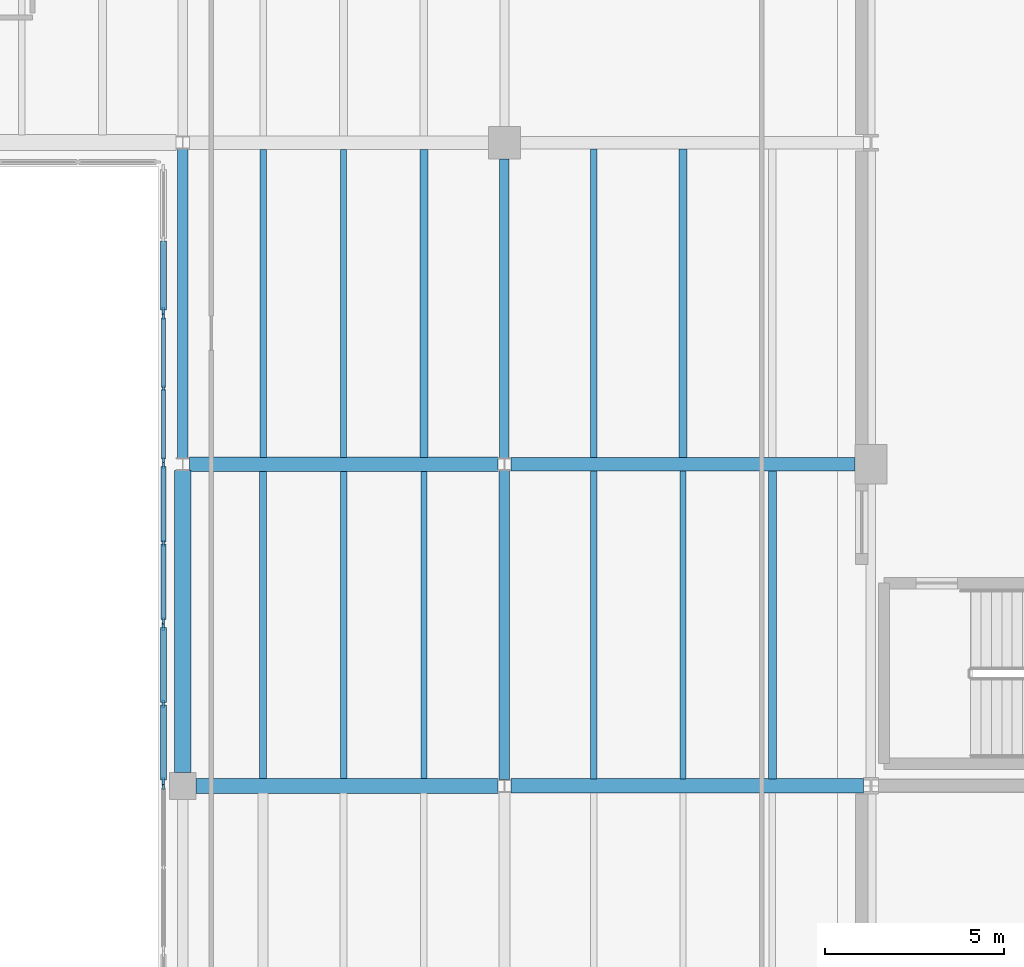
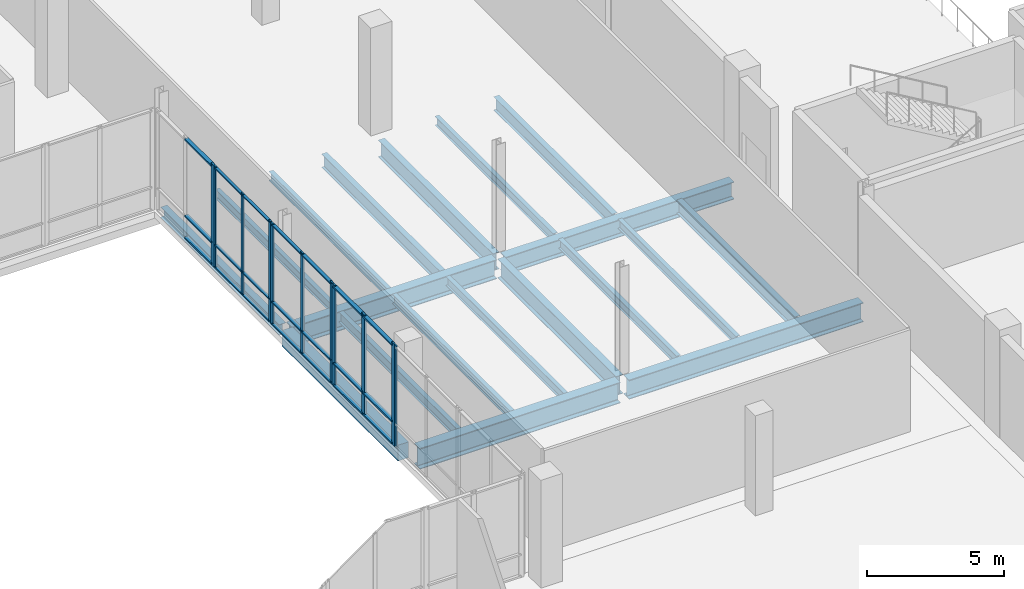
# One storey, part 22 of 41: 32 members, 19 beams, 5 elements without a shape of their own.
"""IFC4 building model written with IfcOpenShell, lengths in metres."""

from ifc_helpers import new_model, si_unit, direction, frame, origin, origin_2d, place, context, subcontext, project, spatial, rectangle, i_section, extrude, material, material_profile, profile_set, type_object, element, aggregate, save


model = new_model("IFC4")

# Units and contexts
model_context = context("Model", 3, precision=1e-05, world=origin(), true_north=direction((0.0, 1.0)))
body_context = subcontext(model_context, "Body", "Model", "MODEL_VIEW")
ifc_project = project(units=[si_unit("LENGTHUNIT", "METRE"), si_unit("AREAUNIT", "SQUARE_METRE"), si_unit("VOLUMEUNIT", "CUBIC_METRE"), si_unit("PLANEANGLEUNIT", "RADIAN"), si_unit("MASSUNIT", "GRAM", prefix="KILO")], contexts=[model_context])

# Site, building, storey
site_placement = place(None, origin())
site = spatial("IfcSite", under=ifc_project, at=site_placement, CompositionType="ELEMENT")
building_placement = place(site_placement, origin())
building = spatial("IfcBuilding", under=site, at=building_placement, Name="Trimount Lyric Opera House", CompositionType="ELEMENT")
storey_placement = place(building_placement, frame((0.0, 0.0, 20.0)))
storey = spatial("IfcBuildingStorey", under=building, at=storey_placement, Name="L04", CompositionType="ELEMENT", Elevation=20.0)

# Beams
ifc_material_1 = material(Name="Steel ASTM A992 Grade 50", Category="steel")
ifc_material_profile_1 = material_profile(ifc_material_1, i_section(OverallWidth=0.4189453125, OverallDepth=0.927001953125, WebThickness=0.019287109375, FlangeThickness=0.031982421875, FilletRadius=0.02392578125, at=origin_2d()), Name="W36X231")
ifc_profile_set_1 = profile_set([ifc_material_profile_1], Name="Steel ASTM A992 Grade 50")
beam_type_1 = type_object("IfcBeamType", Name="B-02", PredefinedType="BEAM", material=ifc_profile_set_1)
beam_1_placement = place(storey_placement, frame((45.375, 84.0, -0.743408203125), z_axis=(1.0, 0.0, 0.0), x_axis=(0.0, 1.0, 0.0)))
element("IfcBeam", 1, at=beam_1_placement, inside=storey, type_object=beam_type_1, Name="L04 girder X-1167", PredefinedType="BEAM", context=body_context, shape_type="SweptSolid", body=[
    extrude(i_section(OverallWidth=0.4189453125, OverallDepth=0.927001953125, WebThickness=0.019287109375, FlangeThickness=0.031982421875, FilletRadius=0.02392578125, at=origin_2d()), origin(), (0.0, 0.0, 1.0), 8.44091796875),
])
ifc_material_2 = material(Name="Steel ASTM A992 Grade 50", Category="steel")
ifc_material_profile_2 = material_profile(ifc_material_2, i_section(OverallWidth=0.40087890625, OverallDepth=0.861083984375, WebThickness=0.019775390625, FlangeThickness=0.032470703125, FilletRadius=0.02001953125, at=origin_2d()), Name="W33X221")
ifc_profile_set_2 = profile_set([ifc_material_profile_2], Name="Steel ASTM A992 Grade 50")
beam_type_2 = type_object("IfcBeamType", Name="B-04", PredefinedType="BEAM", material=ifc_profile_set_2)
beam_2_placement = place(storey_placement, frame((54.18408203125, 84.0, -0.755615234375), z_axis=(1.0, 0.0, 0.0), x_axis=(0.0, 1.0, 0.0)))
element("IfcBeam", 2, at=beam_2_placement, inside=storey, type_object=beam_type_2, Name="L04 girder X-1168", PredefinedType="BEAM", context=body_context, shape_type="SweptSolid", body=[
    extrude(i_section(OverallWidth=0.40087890625, OverallDepth=0.861083984375, WebThickness=0.019775390625, FlangeThickness=0.032470703125, FilletRadius=0.02001953125, at=origin_2d()), origin(), (0.0, 0.0, 1.0), 9.864990234375),
])
beam_3_placement = place(storey_placement, frame((45.18408203125, 93.0, -0.71044921875), z_axis=(1.0, 0.0, 0.0), x_axis=(0.0, 1.0, 0.0)))
element("IfcBeam", 3, at=beam_3_placement, inside=storey, type_object=beam_type_2, Name="L04 girder X-1172", PredefinedType="BEAM", context=body_context, shape_type="SweptSolid", body=[
    extrude(i_section(OverallWidth=0.40087890625, OverallDepth=0.861083984375, WebThickness=0.019775390625, FlangeThickness=0.032470703125, FilletRadius=0.02001953125, at=origin_2d()), origin(), (0.0, 0.0, 1.0), 8.6318359375),
])
ifc_material_3 = material(Name="Steel ASTM A992 Grade 50", Category="steel")
ifc_material_profile_3 = material_profile(ifc_material_3, i_section(OverallWidth=0.2919921875, OverallDepth=0.845947265625, WebThickness=0.015380859375, FlangeThickness=0.0244140625, FilletRadius=0.01806640625, at=origin_2d()), Name="W33X141")
ifc_profile_set_3 = profile_set([ifc_material_profile_3], Name="Steel ASTM A992 Grade 50")
beam_type_3 = type_object("IfcBeamType", Name="B-05", PredefinedType="BEAM", material=ifc_profile_set_3)
beam_4_placement = place(storey_placement, frame((54.0, 84.177978515625, -0.702880859375), z_axis=(0.0, 1.0, 0.0), x_axis=(-1.0, 0.0, 0.0)))
element("IfcBeam", 4, at=beam_4_placement, inside=storey, type_object=beam_type_3, Name="L04 girder Y-1212", PredefinedType="BEAM", context=body_context, shape_type="SweptSolid", body=[
    extrude(i_section(OverallWidth=0.2919921875, OverallDepth=0.845947265625, WebThickness=0.015380859375, FlangeThickness=0.0244140625, FilletRadius=0.01806640625, at=origin_2d()), origin(), (0.0, 0.0, 1.0), 8.64404296875),
])
ifc_material_4 = material(Name="Steel ASTM A992 Grade 50", Category="steel")
ifc_material_profile_4 = material_profile(ifc_material_4, i_section(OverallWidth=0.382080078125, OverallDepth=0.779052734375, WebThickness=0.01806640625, FlangeThickness=0.0302734375, FilletRadius=0.01904296875, at=origin_2d()), Name="W30X191")
ifc_profile_set_4 = profile_set([ifc_material_profile_4], Name="Steel ASTM A992 Grade 50")
beam_type_4 = type_object("IfcBeamType", Name="B-06", PredefinedType="BEAM", material=ifc_profile_set_4)
beam_5_placement = place(storey_placement, frame((54.18408203125, 93.0, -0.714599609375), z_axis=(1.0, 0.0, 0.0), x_axis=(0.0, 1.0, 0.0)))
element("IfcBeam", 5, at=beam_5_placement, inside=storey, type_object=beam_type_4, Name="L04 girder X-1173", PredefinedType="BEAM", context=body_context, shape_type="SweptSolid", body=[
    extrude(i_section(OverallWidth=0.382080078125, OverallDepth=0.779052734375, WebThickness=0.01806640625, FlangeThickness=0.0302734375, FilletRadius=0.01904296875, at=origin_2d()), origin(), (0.0, 0.0, 1.0), 9.6259765625),
])
ifc_material_5 = material(Name="Steel ASTM A992 Grade 50", Category="steel")
ifc_material_profile_5 = material_profile(ifc_material_5, i_section(OverallWidth=0.26708984375, OverallDepth=0.761962890625, WebThickness=0.014404296875, FlangeThickness=0.021484375, FilletRadius=0.01708984375, at=origin_2d()), Name="W30X116")
ifc_profile_set_5 = profile_set([ifc_material_profile_5], Name="Steel ASTM A992 Grade 50")
beam_type_5 = type_object("IfcBeamType", Name="B-07", PredefinedType="BEAM", material=ifc_profile_set_5)
beam_6_placement = place(storey_placement, frame((54.0, 93.177978515625, -0.660888671875), z_axis=(0.0, 1.0, 0.0), x_axis=(-1.0, 0.0, 0.0)))
element("IfcBeam", 6, at=beam_6_placement, inside=storey, type_object=beam_type_5, Name="L04 girder Y-1213", PredefinedType="BEAM", context=body_context, shape_type="SweptSolid", body=[
    extrude(i_section(OverallWidth=0.26708984375, OverallDepth=0.761962890625, WebThickness=0.014404296875, FlangeThickness=0.021484375, FilletRadius=0.01708984375, at=origin_2d()), origin(), (0.0, 0.0, 1.0), 8.3720703125),
])
ifc_material_6 = material(Name="Steel ASTM A992 Grade 50", Category="steel")
ifc_material_profile_6 = material_profile(ifc_material_6, i_section(OverallWidth=0.22802734375, OverallDepth=0.60205078125, WebThickness=0.010498046875, FlangeThickness=0.014892578125, FilletRadius=0.012939453125, at=origin_2d()), Name="W24X68")
ifc_profile_set_6 = profile_set([ifc_material_profile_6], Name="Steel ASTM A992 Grade 50")
beam_type_6 = type_object("IfcBeamType", Name="J-01", PredefinedType="BEAM", material=ifc_profile_set_6)
for number, where, z_axis, x_axis, name in (
    (7, (51.75, 93.196533203125, -0.5810546875), (0.0, 1.0, 0.0), (-1.0, 0.0, 0.0), "L04 composite floor joist 1176"),
    (8, (61.5, 84.196533203125, -0.5810546875), (0.0, 1.0, 0.0), (-1.0, 0.0, 0.0), "L04 composite floor joist 1194"),
):
    element("IfcBeam", number, at=place(storey_placement, frame(where, z_axis=z_axis, x_axis=x_axis)), inside=storey, type_object=beam_type_6, Name=name, PredefinedType="BEAM", context=body_context, shape_type="SweptSolid", body=[
        extrude(i_section(OverallWidth=0.22802734375, OverallDepth=0.60205078125, WebThickness=0.010498046875, FlangeThickness=0.014892578125, FilletRadius=0.012939453125, at=origin_2d()), origin(), (0.0, 0.0, 1.0), 8.616455078125),
    ])
beam_7_placement = place(storey_placement, frame((59.0, 93.18701171875, -0.5810546875), z_axis=(0.0, 1.0, 0.0), x_axis=(-1.0, 0.0, 0.0)))
element("IfcBeam", 9, at=beam_7_placement, inside=storey, type_object=beam_type_6, Name="L04 composite floor joist 1196", PredefinedType="BEAM", context=body_context, shape_type="SweptSolid", body=[
    extrude(i_section(OverallWidth=0.22802734375, OverallDepth=0.60205078125, WebThickness=0.010498046875, FlangeThickness=0.014892578125, FilletRadius=0.012939453125, at=origin_2d()), origin(), (0.0, 0.0, 1.0), 8.638916015625),
])
ifc_material_7 = material(Name="Steel ASTM A992 Grade 50", Category="steel")
ifc_material_profile_7 = material_profile(ifc_material_7, i_section(OverallWidth=0.19091796875, OverallDepth=0.45703125, WebThickness=0.009033203125, FlangeThickness=0.014404296875, FilletRadius=0.010986328125, at=origin_2d()), Name="W18X50")
ifc_profile_set_7 = profile_set([ifc_material_profile_7], Name="Steel ASTM A992 Grade 50")
beam_type_7 = type_object("IfcBeamType", Name="J-04", PredefinedType="BEAM", material=ifc_profile_set_7)
beam_8_placement = place(storey_placement, frame((47.25, 84.20556640625, -0.508544921875), z_axis=(0.0, 1.0, 0.0), x_axis=(-1.0, 0.0, 0.0)))
element("IfcBeam", 10, at=beam_8_placement, inside=storey, type_object=beam_type_7, Name="L04 composite floor joist 1171", PredefinedType="BEAM", context=body_context, shape_type="SweptSolid", body=[
    extrude(i_section(OverallWidth=0.19091796875, OverallDepth=0.45703125, WebThickness=0.009033203125, FlangeThickness=0.014404296875, FilletRadius=0.010986328125, at=origin_2d()), origin(), (0.0, 0.0, 1.0), 8.597900390625),
])
ifc_material_8 = material(Name="Steel ASTM A992 Grade 50", Category="steel")
ifc_material_profile_8 = material_profile(ifc_material_8, i_section(OverallWidth=0.180908203125, OverallDepth=0.4169921875, WebThickness=0.010986328125, FlangeThickness=0.018310546875, FilletRadius=0.010986328125, at=origin_2d()), Name="W16X57")
ifc_profile_set_8 = profile_set([ifc_material_profile_8], Name="Steel ASTM A992 Grade 50")
beam_type_8 = type_object("IfcBeamType", Name="J-05", PredefinedType="BEAM", material=ifc_profile_set_8)
beam_9_placement = place(storey_placement, frame((49.5, 84.20556640625, -0.488525390625), z_axis=(0.0, 1.0, 0.0), x_axis=(-1.0, 0.0, 0.0)))
element("IfcBeam", 11, at=beam_9_placement, inside=storey, type_object=beam_type_8, Name="L04 composite floor joist 1172", PredefinedType="BEAM", context=body_context, shape_type="SweptSolid", body=[
    extrude(i_section(OverallWidth=0.180908203125, OverallDepth=0.4169921875, WebThickness=0.010986328125, FlangeThickness=0.018310546875, FilletRadius=0.010986328125, at=origin_2d()), origin(), (0.0, 0.0, 1.0), 8.597900390625),
])
for number, where, z_axis, x_axis, name in (
    (12, (47.25, 93.196533203125, -0.488525390625), (0.0, 1.0, 0.0), (-1.0, 0.0, 0.0), "L04 composite floor joist 1174"),
    (13, (56.5, 84.196533203125, -0.488525390625), (0.0, 1.0, 0.0), (-1.0, 0.0, 0.0), "L04 composite floor joist 1192"),
):
    element("IfcBeam", number, at=place(storey_placement, frame(where, z_axis=z_axis, x_axis=x_axis)), inside=storey, type_object=beam_type_8, Name=name, PredefinedType="BEAM", context=body_context, shape_type="SweptSolid", body=[
        extrude(i_section(OverallWidth=0.180908203125, OverallDepth=0.4169921875, WebThickness=0.010986328125, FlangeThickness=0.018310546875, FilletRadius=0.010986328125, at=origin_2d()), origin(), (0.0, 0.0, 1.0), 8.616455078125),
    ])
ifc_material_9 = material(Name="Steel ASTM A992 Grade 50", Category="steel")
ifc_material_profile_9 = material_profile(ifc_material_9, i_section(OverallWidth=0.177978515625, OverallDepth=0.404052734375, WebThickness=0.007568359375, FlangeThickness=0.010986328125, FilletRadius=0.010009765625, at=origin_2d()), Name="W16X36")
ifc_profile_set_9 = profile_set([ifc_material_profile_9], Name="Steel ASTM A992 Grade 50")
beam_type_9 = type_object("IfcBeamType", Name="J-06", PredefinedType="BEAM", material=ifc_profile_set_9)
beam_10_placement = place(storey_placement, frame((51.75, 84.20556640625, -0.48193359375), z_axis=(0.0, 1.0, 0.0), x_axis=(-1.0, 0.0, 0.0)))
element("IfcBeam", 14, at=beam_10_placement, inside=storey, type_object=beam_type_9, Name="L04 composite floor joist 1173", PredefinedType="BEAM", context=body_context, shape_type="SweptSolid", body=[
    extrude(i_section(OverallWidth=0.177978515625, OverallDepth=0.404052734375, WebThickness=0.007568359375, FlangeThickness=0.010986328125, FilletRadius=0.010009765625, at=origin_2d()), origin(), (0.0, 0.0, 1.0), 8.597900390625),
])
for number, where, z_axis, x_axis, name in (
    (15, (49.5, 93.196533203125, -0.48193359375), (0.0, 1.0, 0.0), (-1.0, 0.0, 0.0), "L04 composite floor joist 1175"),
    (16, (59.0, 84.196533203125, -0.48193359375), (0.0, 1.0, 0.0), (-1.0, 0.0, 0.0), "L04 composite floor joist 1193"),
):
    element("IfcBeam", number, at=place(storey_placement, frame(where, z_axis=z_axis, x_axis=x_axis)), inside=storey, type_object=beam_type_9, Name=name, PredefinedType="BEAM", context=body_context, shape_type="SweptSolid", body=[
        extrude(i_section(OverallWidth=0.177978515625, OverallDepth=0.404052734375, WebThickness=0.007568359375, FlangeThickness=0.010986328125, FilletRadius=0.010009765625, at=origin_2d()), origin(), (0.0, 0.0, 1.0), 8.616455078125),
    ])
beam_11_placement = place(storey_placement, frame((56.5, 93.18701171875, -0.48193359375), z_axis=(0.0, 1.0, 0.0), x_axis=(-1.0, 0.0, 0.0)))
element("IfcBeam", 17, at=beam_11_placement, inside=storey, type_object=beam_type_9, Name="L04 composite floor joist 1195", PredefinedType="BEAM", context=body_context, shape_type="SweptSolid", body=[
    extrude(i_section(OverallWidth=0.177978515625, OverallDepth=0.404052734375, WebThickness=0.007568359375, FlangeThickness=0.010986328125, FilletRadius=0.010009765625, at=origin_2d()), origin(), (0.0, 0.0, 1.0), 8.638916015625),
])

# Curtain wall, members
ifc_material_10 = material(Name="Thermally Broken Aluminium and Low-E Glass", Category="aluminium")
curtain_wall_type = type_object("IfcCurtainWallType", Name="CW-03", PredefinedType="NOTDEFINED", material=ifc_material_10)
curtain_wall_1_placement = place(storey_placement, origin())
curtain_wall_1 = element("IfcCurtainWall", 18, at=curtain_wall_1_placement, inside=storey, type_object=curtain_wall_type, Name="L04 curtain wall 315", PredefinedType="NOTDEFINED")
ifc_material_11 = material(Name="Anodised Aluminium 6063-T6", Category="aluminium")
ifc_material_profile_10 = material_profile(ifc_material_11, rectangle(XDim=0.070068359375, YDim=0.219970703125, at=origin_2d()), Name="ALU-MULL-70X220")
ifc_profile_set_10 = profile_set([ifc_material_profile_10], Name="Anodised Aluminium 6063-T6")
member_type_1 = type_object("IfcMemberType", Name="ML-01", PredefinedType="MULLION", material=ifc_profile_set_10)
member_1_placement = place(storey_placement, frame((44.4599609375, 84.125, 0.0), z_axis=(0.0, 0.0, 1.0), x_axis=(-1.0, 0.0, 0.0)))
member_1 = element("IfcMember", 19, at=member_1_placement, type_object=member_type_1, Name="CW-03 mullion 1", PredefinedType="MULLION", context=body_context, shape_type="SweptSolid", body=[
    extrude(rectangle(XDim=0.070068359375, YDim=0.219970703125, at=origin_2d()), origin(), (0.0, 0.0, 1.0), 4.5400390625),
])
member_2_placement = place(storey_placement, frame((44.4599609375, 86.294921875, 0.0), z_axis=(0.0, 0.0, 1.0), x_axis=(-1.0, 0.0, 0.0)))
member_2 = element("IfcMember", 20, at=member_2_placement, type_object=member_type_1, Name="CW-03 mullion 2", PredefinedType="MULLION", context=body_context, shape_type="SweptSolid", body=[
    extrude(rectangle(XDim=0.070068359375, YDim=0.219970703125, at=origin_2d()), origin(), (0.0, 0.0, 1.0), 4.5400390625),
])
member_3_placement = place(storey_placement, frame((44.4599609375, 88.465087890625, 0.0), z_axis=(0.0, 0.0, 1.0), x_axis=(-1.0, 0.0, 0.0)))
member_3 = element("IfcMember", 21, at=member_3_placement, type_object=member_type_1, Name="CW-03 mullion 3", PredefinedType="MULLION", context=body_context, shape_type="SweptSolid", body=[
    extrude(rectangle(XDim=0.070068359375, YDim=0.219970703125, at=origin_2d()), origin(), (0.0, 0.0, 1.0), 4.5400390625),
])

# Curtain wall, member
curtain_wall_2_placement = place(storey_placement, origin())
curtain_wall_2 = element("IfcCurtainWall", 22, at=curtain_wall_2_placement, inside=storey, type_object=curtain_wall_type, Name="L04 curtain wall 318", PredefinedType="NOTDEFINED")
member_4_placement = place(storey_placement, frame((44.4599609375, 97.284912109375, 0.0), z_axis=(0.0, 0.0, 1.0), x_axis=(-1.0, 0.0, 0.0)))
member_4 = element("IfcMember", 23, at=member_4_placement, type_object=member_type_1, Name="CW-03 mullion 1", PredefinedType="MULLION", context=body_context, shape_type="SweptSolid", body=[
    extrude(rectangle(XDim=0.070068359375, YDim=0.219970703125, at=origin_2d()), origin(), (0.0, 0.0, 1.0), 4.5400390625),
])

# Curtain wall, members
curtain_wall_3_placement = place(storey_placement, origin())
curtain_wall_3 = element("IfcCurtainWall", 24, at=curtain_wall_3_placement, inside=storey, type_object=curtain_wall_type, Name="L04 curtain wall 316", PredefinedType="NOTDEFINED")
ifc_material_12 = material(Name="Anodised Aluminium 6063-T6", Category="aluminium")
ifc_material_profile_11 = material_profile(ifc_material_12, rectangle(XDim=0.06494140625, YDim=0.179931640625, at=origin_2d()), Name="ALU-MULL-65X180")
ifc_profile_set_11 = profile_set([ifc_material_profile_11], Name="Anodised Aluminium 6063-T6")
member_type_2 = type_object("IfcMemberType", Name="ML-02", PredefinedType="MULLION", material=ifc_profile_set_11)
member_5_placement = place(storey_placement, frame((44.4599609375, 88.62255859375, 0.0), z_axis=(0.0, 0.0, 1.0), x_axis=(-1.0, 0.0, 0.0)))
member_5 = element("IfcMember", 25, at=member_5_placement, type_object=member_type_2, Name="CW-03 mullion 1", PredefinedType="MULLION", context=body_context, shape_type="SweptSolid", body=[
    extrude(rectangle(XDim=0.06494140625, YDim=0.179931640625, at=origin_2d()), origin(), (0.0, 0.0, 1.0), 4.5400390625),
])
member_6_placement = place(storey_placement, frame((44.4599609375, 90.794921875, 0.0), z_axis=(0.0, 0.0, 1.0), x_axis=(-1.0, 0.0, 0.0)))
member_6 = element("IfcMember", 26, at=member_6_placement, type_object=member_type_2, Name="CW-03 mullion 2", PredefinedType="MULLION", context=body_context, shape_type="SweptSolid", body=[
    extrude(rectangle(XDim=0.06494140625, YDim=0.179931640625, at=origin_2d()), origin(), (0.0, 0.0, 1.0), 4.5400390625),
])
member_7_placement = place(storey_placement, frame((44.4599609375, 92.967529296875, 0.0), z_axis=(0.0, 0.0, 1.0), x_axis=(-1.0, 0.0, 0.0)))
member_7 = element("IfcMember", 27, at=member_7_placement, type_object=member_type_2, Name="CW-03 mullion 3", PredefinedType="MULLION", context=body_context, shape_type="SweptSolid", body=[
    extrude(rectangle(XDim=0.06494140625, YDim=0.179931640625, at=origin_2d()), origin(), (0.0, 0.0, 1.0), 4.5400390625),
])

# Curtain wall, member
curtain_wall_4_placement = place(storey_placement, origin())
curtain_wall_4 = element("IfcCurtainWall", 28, at=curtain_wall_4_placement, inside=storey, type_object=curtain_wall_type, Name="L04 curtain wall 314", PredefinedType="NOTDEFINED")
ifc_material_13 = material(Name="Anodised Aluminium 6063-T6", Category="aluminium")
ifc_material_profile_12 = material_profile(ifc_material_13, rectangle(XDim=0.06005859375, YDim=0.14990234375, at=origin_2d()), Name="ALU-MULL-60X150")
ifc_profile_set_12 = profile_set([ifc_material_profile_12], Name="Anodised Aluminium 6063-T6")
member_type_3 = type_object("IfcMemberType", Name="ML-03", PredefinedType="MULLION", material=ifc_profile_set_12)
member_8_placement = place(storey_placement, frame((44.4599609375, 83.969970703125, 0.0), z_axis=(0.0, 0.0, 1.0), x_axis=(-1.0, 0.0, 0.0)))
member_8 = element("IfcMember", 29, at=member_8_placement, type_object=member_type_3, Name="CW-03 mullion 3", PredefinedType="MULLION", context=body_context, shape_type="SweptSolid", body=[
    extrude(rectangle(XDim=0.06005859375, YDim=0.14990234375, at=origin_2d()), origin(), (0.0, 0.0, 1.0), 4.5400390625),
])
aggregate(curtain_wall_4, [member_8])

# Curtain wall, members
curtain_wall_5_placement = place(storey_placement, origin())
curtain_wall_5 = element("IfcCurtainWall", 30, at=curtain_wall_5_placement, inside=storey, type_object=curtain_wall_type, Name="L04 curtain wall 317", PredefinedType="NOTDEFINED")
member_9_placement = place(storey_placement, frame((44.4599609375, 93.1201171875, 0.0), z_axis=(0.0, 0.0, 1.0), x_axis=(-1.0, 0.0, 0.0)))
member_9 = element("IfcMember", 31, at=member_9_placement, type_object=member_type_3, Name="CW-03 mullion 1", PredefinedType="MULLION", context=body_context, shape_type="SweptSolid", body=[
    extrude(rectangle(XDim=0.06005859375, YDim=0.14990234375, at=origin_2d()), origin(), (0.0, 0.0, 1.0), 4.5400390625),
])
member_10_placement = place(storey_placement, frame((44.4599609375, 95.125, 0.0), z_axis=(0.0, 0.0, 1.0), x_axis=(-1.0, 0.0, 0.0)))
member_10 = element("IfcMember", 32, at=member_10_placement, type_object=member_type_3, Name="CW-03 mullion 2", PredefinedType="MULLION", context=body_context, shape_type="SweptSolid", body=[
    extrude(rectangle(XDim=0.06005859375, YDim=0.14990234375, at=origin_2d()), origin(), (0.0, 0.0, 1.0), 4.5400390625),
])
member_11_placement = place(storey_placement, frame((44.4599609375, 97.1298828125, 0.0), z_axis=(0.0, 0.0, 1.0), x_axis=(-1.0, 0.0, 0.0)))
member_11 = element("IfcMember", 33, at=member_11_placement, type_object=member_type_3, Name="CW-03 mullion 3", PredefinedType="MULLION", context=body_context, shape_type="SweptSolid", body=[
    extrude(rectangle(XDim=0.06005859375, YDim=0.14990234375, at=origin_2d()), origin(), (0.0, 0.0, 1.0), 4.5400390625),
])

# Beams
ifc_material_14 = material(Name="Steel ASTM A992 Grade 50", Category="steel")
ifc_material_profile_13 = material_profile(ifc_material_14, i_section(OverallWidth=0.281982421875, OverallDepth=0.467041015625, WebThickness=0.01220703125, FlangeThickness=0.01953125, FilletRadius=0.012939453125, at=origin_2d()), Name="W18X86")
ifc_profile_set_13 = profile_set([ifc_material_profile_13], Name="Steel ASTM A992 Grade 50")
beam_type_10 = type_object("IfcBeamType", Name="SP-01", PredefinedType="SPANDREL", material=ifc_profile_set_13)
beam_12_placement = place(storey_placement, frame((45.0, 93.177978515625, -0.513427734375), z_axis=(0.0, 1.0, 0.0), x_axis=(-1.0, 0.0, 0.0)))
element("IfcBeam", 34, at=beam_12_placement, inside=storey, type_object=beam_type_10, Name="L04 girder Y-1203", PredefinedType="SPANDREL", context=body_context, shape_type="SweptSolid", body=[
    extrude(i_section(OverallWidth=0.281982421875, OverallDepth=0.467041015625, WebThickness=0.01220703125, FlangeThickness=0.01953125, FilletRadius=0.012939453125, at=origin_2d()), origin(), (0.0, 0.0, 1.0), 8.64404296875),
])
ifc_material_15 = material(Name="Concrete C40/50", Category="concrete")
ifc_material_profile_14 = material_profile(ifc_material_15, rectangle(XDim=0.449951171875, YDim=0.699951171875, at=origin_2d()), Name="RC450X700")
ifc_profile_set_14 = profile_set([ifc_material_profile_14], Name="Concrete C40/50")
beam_type_11 = type_object("IfcBeamType", Name="SP-02", PredefinedType="SPANDREL", material=ifc_profile_set_14)
beam_13_placement = place(storey_placement, frame((45.0, 84.375, -0.6298828125), z_axis=(0.0, 1.0, 0.0), x_axis=(-1.0, 0.0, 0.0)))
element("IfcBeam", 35, at=beam_13_placement, inside=storey, type_object=beam_type_11, Name="L04 girder Y-1202", PredefinedType="SPANDREL", context=body_context, shape_type="SweptSolid", body=[
    extrude(rectangle(XDim=0.449951171875, YDim=0.699951171875, at=origin_2d()), origin(), (0.0, 0.0, 1.0), 8.447021484375),
])

# Member
ifc_material_16 = material(Name="Anodised Aluminium 6063-T6", Category="aluminium")
ifc_material_profile_15 = material_profile(ifc_material_16, rectangle(XDim=0.159912109375, YDim=0.070068359375, at=origin_2d()), Name="ALU-TRAN-70X160")
ifc_profile_set_15 = profile_set([ifc_material_profile_15], Name="Anodised Aluminium 6063-T6")
member_type_4 = type_object("IfcMemberType", Name="TR-01", PredefinedType="USERDEFINED", material=ifc_profile_set_15)
member_12_placement = place(storey_placement, frame((44.4599609375, 84.159912109375, 0.080078125), z_axis=(0.0, 1.0, 0.0), x_axis=(-1.0, 0.0, 0.0)))
member_12 = element("IfcMember", 36, at=member_12_placement, type_object=member_type_4, Name="CW-03 transom 1.1", ObjectType="TRANSOM", PredefinedType="USERDEFINED", context=body_context, shape_type="SweptSolid", body=[
    extrude(rectangle(XDim=0.159912109375, YDim=0.070068359375, at=origin_2d()), origin(), (0.0, 0.0, 1.0), 2.10009765625),
])

member_13_placement = place(storey_placement, frame((44.4599609375, 84.159912109375, 1.050048828125), z_axis=(0.0, 1.0, 0.0), x_axis=(-1.0, 0.0, 0.0)))
member_13 = element("IfcMember", 37, at=member_13_placement, type_object=member_type_4, Name="CW-03 transom 1.2", ObjectType="TRANSOM", PredefinedType="USERDEFINED", context=body_context, shape_type="SweptSolid", body=[
    extrude(rectangle(XDim=0.159912109375, YDim=0.070068359375, at=origin_2d()), origin(), (0.0, 0.0, 1.0), 2.10009765625),
])

member_14_placement = place(storey_placement, frame((44.4599609375, 84.159912109375, 4.4599609375), z_axis=(0.0, 1.0, 0.0), x_axis=(-1.0, 0.0, 0.0)))
member_14 = element("IfcMember", 38, at=member_14_placement, type_object=member_type_4, Name="CW-03 transom 1.3", ObjectType="TRANSOM", PredefinedType="USERDEFINED", context=body_context, shape_type="SweptSolid", body=[
    extrude(rectangle(XDim=0.159912109375, YDim=0.070068359375, at=origin_2d()), origin(), (0.0, 0.0, 1.0), 2.10009765625),
])

member_15_placement = place(storey_placement, frame((44.4599609375, 86.330078125, 0.080078125), z_axis=(0.0, 1.0, 0.0), x_axis=(-1.0, 0.0, 0.0)))
member_15 = element("IfcMember", 39, at=member_15_placement, type_object=member_type_4, Name="CW-03 transom 2.1", ObjectType="TRANSOM", PredefinedType="USERDEFINED", context=body_context, shape_type="SweptSolid", body=[
    extrude(rectangle(XDim=0.159912109375, YDim=0.070068359375, at=origin_2d()), origin(), (0.0, 0.0, 1.0), 2.099853515625),
])

member_16_placement = place(storey_placement, frame((44.4599609375, 86.330078125, 1.050048828125), z_axis=(0.0, 1.0, 0.0), x_axis=(-1.0, 0.0, 0.0)))
member_16 = element("IfcMember", 40, at=member_16_placement, type_object=member_type_4, Name="CW-03 transom 2.2", ObjectType="TRANSOM", PredefinedType="USERDEFINED", context=body_context, shape_type="SweptSolid", body=[
    extrude(rectangle(XDim=0.159912109375, YDim=0.070068359375, at=origin_2d()), origin(), (0.0, 0.0, 1.0), 2.099853515625),
])

member_17_placement = place(storey_placement, frame((44.4599609375, 86.330078125, 4.4599609375), z_axis=(0.0, 1.0, 0.0), x_axis=(-1.0, 0.0, 0.0)))
member_17 = element("IfcMember", 41, at=member_17_placement, type_object=member_type_4, Name="CW-03 transom 2.3", ObjectType="TRANSOM", PredefinedType="USERDEFINED", context=body_context, shape_type="SweptSolid", body=[
    extrude(rectangle(XDim=0.159912109375, YDim=0.070068359375, at=origin_2d()), origin(), (0.0, 0.0, 1.0), 2.099853515625),
])

aggregate(curtain_wall_1, [member_1, member_2, member_3, member_12, member_13, member_14, member_15, member_16, member_17])

member_18_placement = place(storey_placement, frame((44.4599609375, 97.320068359375, 0.080078125), z_axis=(0.0, 1.0, 0.0), x_axis=(-1.0, 0.0, 0.0)))
member_18 = element("IfcMember", 42, at=member_18_placement, type_object=member_type_4, Name="CW-03 transom 1.1", ObjectType="TRANSOM", PredefinedType="USERDEFINED", context=body_context, shape_type="SweptSolid", body=[
    extrude(rectangle(XDim=0.159912109375, YDim=0.070068359375, at=origin_2d()), origin(), (0.0, 0.0, 1.0), 1.929931640625),
])

member_19_placement = place(storey_placement, frame((44.4599609375, 97.320068359375, 1.050048828125), z_axis=(0.0, 1.0, 0.0), x_axis=(-1.0, 0.0, 0.0)))
member_19 = element("IfcMember", 43, at=member_19_placement, type_object=member_type_4, Name="CW-03 transom 1.2", ObjectType="TRANSOM", PredefinedType="USERDEFINED", context=body_context, shape_type="SweptSolid", body=[
    extrude(rectangle(XDim=0.159912109375, YDim=0.070068359375, at=origin_2d()), origin(), (0.0, 0.0, 1.0), 1.929931640625),
])

member_20_placement = place(storey_placement, frame((44.4599609375, 97.320068359375, 4.4599609375), z_axis=(0.0, 1.0, 0.0), x_axis=(-1.0, 0.0, 0.0)))
member_20 = element("IfcMember", 44, at=member_20_placement, type_object=member_type_4, Name="CW-03 transom 1.3", ObjectType="TRANSOM", PredefinedType="USERDEFINED", context=body_context, shape_type="SweptSolid", body=[
    extrude(rectangle(XDim=0.159912109375, YDim=0.070068359375, at=origin_2d()), origin(), (0.0, 0.0, 1.0), 1.929931640625),
])

aggregate(curtain_wall_2, [member_4, member_18, member_19, member_20])

ifc_material_17 = material(Name="Anodised Aluminium 6063-T6", Category="aluminium")
ifc_material_profile_16 = material_profile(ifc_material_17, rectangle(XDim=0.135009765625, YDim=0.06494140625, at=origin_2d()), Name="ALU-TRAN-65X135")
ifc_profile_set_16 = profile_set([ifc_material_profile_16], Name="Anodised Aluminium 6063-T6")
member_type_5 = type_object("IfcMemberType", Name="TR-02", PredefinedType="USERDEFINED", material=ifc_profile_set_16)
member_21_placement = place(storey_placement, frame((44.4599609375, 88.655029296875, 0.0673828125), z_axis=(0.0, 1.0, 0.0), x_axis=(-1.0, 0.0, 0.0)))
member_21 = element("IfcMember", 45, at=member_21_placement, type_object=member_type_5, Name="CW-03 transom 1.1", ObjectType="TRANSOM", PredefinedType="USERDEFINED", context=body_context, shape_type="SweptSolid", body=[
    extrude(rectangle(XDim=0.135009765625, YDim=0.06494140625, at=origin_2d()), origin(), (0.0, 0.0, 1.0), 2.107421875),
])

member_22_placement = place(storey_placement, frame((44.4599609375, 88.655029296875, 1.050048828125), z_axis=(0.0, 1.0, 0.0), x_axis=(-1.0, 0.0, 0.0)))
member_22 = element("IfcMember", 46, at=member_22_placement, type_object=member_type_5, Name="CW-03 transom 1.2", ObjectType="TRANSOM", PredefinedType="USERDEFINED", context=body_context, shape_type="SweptSolid", body=[
    extrude(rectangle(XDim=0.135009765625, YDim=0.06494140625, at=origin_2d()), origin(), (0.0, 0.0, 1.0), 2.107421875),
])

member_23_placement = place(storey_placement, frame((44.4599609375, 88.655029296875, 4.472412109375), z_axis=(0.0, 1.0, 0.0), x_axis=(-1.0, 0.0, 0.0)))
member_23 = element("IfcMember", 47, at=member_23_placement, type_object=member_type_5, Name="CW-03 transom 1.3", ObjectType="TRANSOM", PredefinedType="USERDEFINED", context=body_context, shape_type="SweptSolid", body=[
    extrude(rectangle(XDim=0.135009765625, YDim=0.06494140625, at=origin_2d()), origin(), (0.0, 0.0, 1.0), 2.107421875),
])

member_24_placement = place(storey_placement, frame((44.4599609375, 90.827392578125, 0.0673828125), z_axis=(0.0, 1.0, 0.0), x_axis=(-1.0, 0.0, 0.0)))
member_24 = element("IfcMember", 48, at=member_24_placement, type_object=member_type_5, Name="CW-03 transom 2.1", ObjectType="TRANSOM", PredefinedType="USERDEFINED", context=body_context, shape_type="SweptSolid", body=[
    extrude(rectangle(XDim=0.135009765625, YDim=0.06494140625, at=origin_2d()), origin(), (0.0, 0.0, 1.0), 2.107666015625),
])

member_25_placement = place(storey_placement, frame((44.4599609375, 90.827392578125, 1.050048828125), z_axis=(0.0, 1.0, 0.0), x_axis=(-1.0, 0.0, 0.0)))
member_25 = element("IfcMember", 49, at=member_25_placement, type_object=member_type_5, Name="CW-03 transom 2.2", ObjectType="TRANSOM", PredefinedType="USERDEFINED", context=body_context, shape_type="SweptSolid", body=[
    extrude(rectangle(XDim=0.135009765625, YDim=0.06494140625, at=origin_2d()), origin(), (0.0, 0.0, 1.0), 2.107666015625),
])

member_26_placement = place(storey_placement, frame((44.4599609375, 90.827392578125, 4.472412109375), z_axis=(0.0, 1.0, 0.0), x_axis=(-1.0, 0.0, 0.0)))
member_26 = element("IfcMember", 50, at=member_26_placement, type_object=member_type_5, Name="CW-03 transom 2.3", ObjectType="TRANSOM", PredefinedType="USERDEFINED", context=body_context, shape_type="SweptSolid", body=[
    extrude(rectangle(XDim=0.135009765625, YDim=0.06494140625, at=origin_2d()), origin(), (0.0, 0.0, 1.0), 2.107666015625),
])

aggregate(curtain_wall_3, [member_5, member_6, member_7, member_21, member_22, member_23, member_24, member_25, member_26])

ifc_material_18 = material(Name="Anodised Aluminium 6063-T6", Category="aluminium")
ifc_material_profile_17 = material_profile(ifc_material_18, rectangle(XDim=0.114990234375, YDim=0.06005859375, at=origin_2d()), Name="ALU-TRAN-60X115")
ifc_profile_set_17 = profile_set([ifc_material_profile_17], Name="Anodised Aluminium 6063-T6")
member_type_6 = type_object("IfcMemberType", Name="TR-03", PredefinedType="USERDEFINED", material=ifc_profile_set_17)
member_27_placement = place(storey_placement, frame((44.4599609375, 93.14990234375, 0.0576171875), z_axis=(0.0, 1.0, 0.0), x_axis=(-1.0, 0.0, 0.0)))
member_27 = element("IfcMember", 51, at=member_27_placement, type_object=member_type_6, Name="CW-03 transom 1.1", ObjectType="TRANSOM", PredefinedType="USERDEFINED", context=body_context, shape_type="SweptSolid", body=[
    extrude(rectangle(XDim=0.114990234375, YDim=0.06005859375, at=origin_2d()), origin(), (0.0, 0.0, 1.0), 1.945068359375),
])

member_28_placement = place(storey_placement, frame((44.4599609375, 93.14990234375, 1.050048828125), z_axis=(0.0, 1.0, 0.0), x_axis=(-1.0, 0.0, 0.0)))
member_28 = element("IfcMember", 52, at=member_28_placement, type_object=member_type_6, Name="CW-03 transom 1.2", ObjectType="TRANSOM", PredefinedType="USERDEFINED", context=body_context, shape_type="SweptSolid", body=[
    extrude(rectangle(XDim=0.114990234375, YDim=0.06005859375, at=origin_2d()), origin(), (0.0, 0.0, 1.0), 1.945068359375),
])

member_29_placement = place(storey_placement, frame((44.4599609375, 93.14990234375, 4.482421875), z_axis=(0.0, 1.0, 0.0), x_axis=(-1.0, 0.0, 0.0)))
member_29 = element("IfcMember", 53, at=member_29_placement, type_object=member_type_6, Name="CW-03 transom 1.3", ObjectType="TRANSOM", PredefinedType="USERDEFINED", context=body_context, shape_type="SweptSolid", body=[
    extrude(rectangle(XDim=0.114990234375, YDim=0.06005859375, at=origin_2d()), origin(), (0.0, 0.0, 1.0), 1.945068359375),
])

member_30_placement = place(storey_placement, frame((44.4599609375, 95.155029296875, 0.0576171875), z_axis=(0.0, 1.0, 0.0), x_axis=(-1.0, 0.0, 0.0)))
member_30 = element("IfcMember", 54, at=member_30_placement, type_object=member_type_6, Name="CW-03 transom 2.1", ObjectType="TRANSOM", PredefinedType="USERDEFINED", context=body_context, shape_type="SweptSolid", body=[
    extrude(rectangle(XDim=0.114990234375, YDim=0.06005859375, at=origin_2d()), origin(), (0.0, 0.0, 1.0), 1.945068359375),
])

member_31_placement = place(storey_placement, frame((44.4599609375, 95.155029296875, 1.050048828125), z_axis=(0.0, 1.0, 0.0), x_axis=(-1.0, 0.0, 0.0)))
member_31 = element("IfcMember", 55, at=member_31_placement, type_object=member_type_6, Name="CW-03 transom 2.2", ObjectType="TRANSOM", PredefinedType="USERDEFINED", context=body_context, shape_type="SweptSolid", body=[
    extrude(rectangle(XDim=0.114990234375, YDim=0.06005859375, at=origin_2d()), origin(), (0.0, 0.0, 1.0), 1.945068359375),
])

member_32_placement = place(storey_placement, frame((44.4599609375, 95.155029296875, 4.482421875), z_axis=(0.0, 1.0, 0.0), x_axis=(-1.0, 0.0, 0.0)))
member_32 = element("IfcMember", 56, at=member_32_placement, type_object=member_type_6, Name="CW-03 transom 2.3", ObjectType="TRANSOM", PredefinedType="USERDEFINED", context=body_context, shape_type="SweptSolid", body=[
    extrude(rectangle(XDim=0.114990234375, YDim=0.06005859375, at=origin_2d()), origin(), (0.0, 0.0, 1.0), 1.945068359375),
])

aggregate(curtain_wall_5, [member_9, member_10, member_11, member_27, member_28, member_29, member_30, member_31, member_32])

save(model, "model.ifc")
